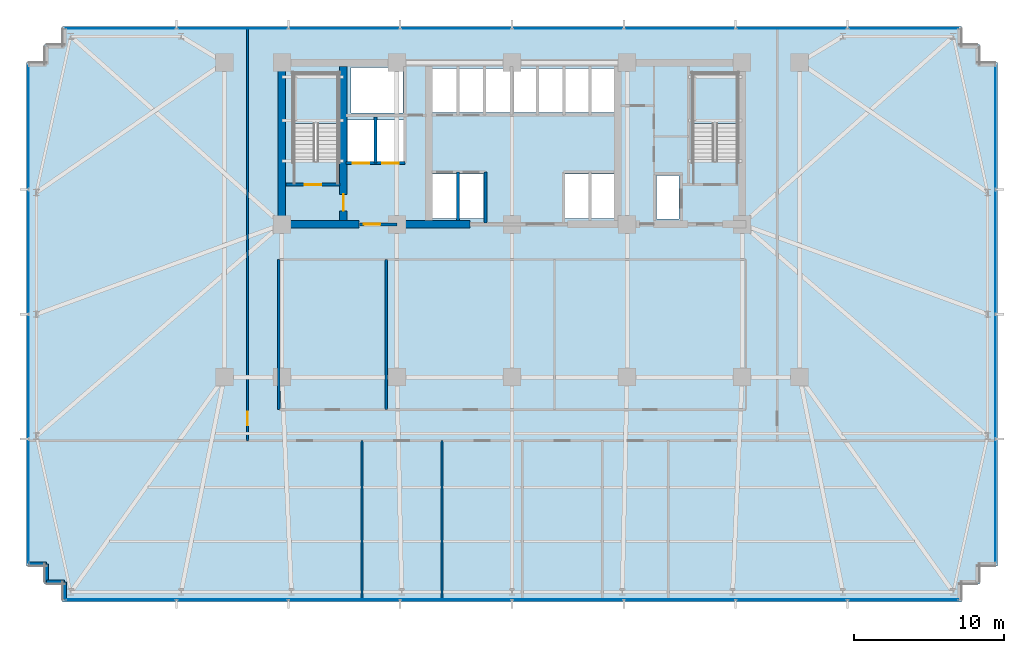
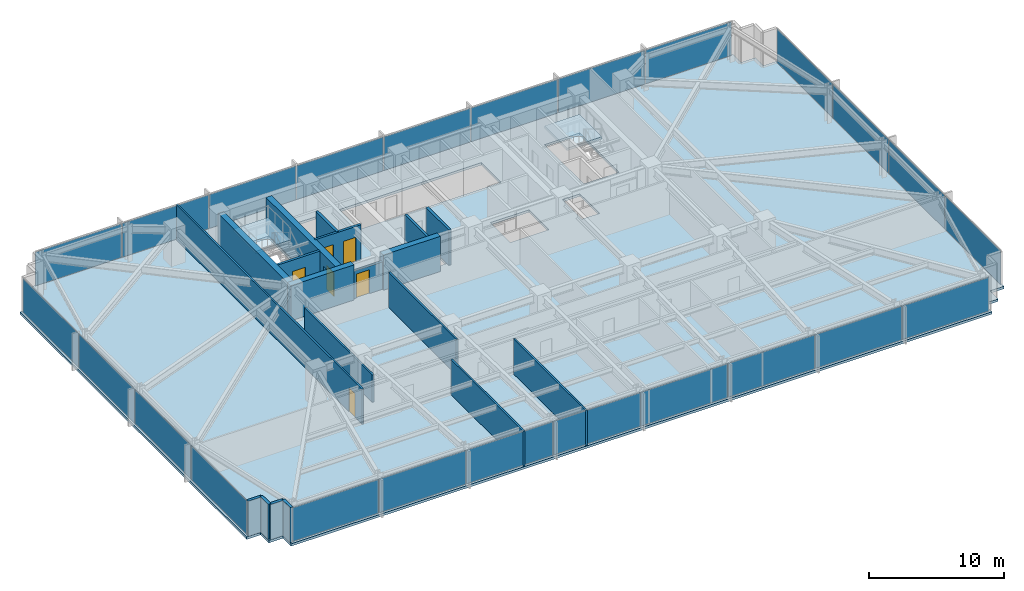
# One storey, part 24 of 32: 24 plates, 19 walls, 6 doors, 3 slabs, 6 openings, 6 elements without a shape of their own.
"""IFC4 building model written with IfcOpenShell, lengths in metres."""

from ifc_helpers import new_model, si_unit, direction, frame, frame_2d, origin, origin_2d, place, context, subcontext, project, spatial, polyline, rectangle, outline, extrude, material, layer, layer_set, type_object, element, fill, aggregate, save


model = new_model("IFC4")

# Units and contexts
model_context = context("Model", 3, precision=1e-05, world=origin(), true_north=direction((0.0, 1.0)))
body_context = subcontext(model_context, "Body", "Model", "MODEL_VIEW")
ifc_project = project(units=[si_unit("LENGTHUNIT", "METRE"), si_unit("AREAUNIT", "SQUARE_METRE"), si_unit("VOLUMEUNIT", "CUBIC_METRE"), si_unit("PLANEANGLEUNIT", "RADIAN"), si_unit("MASSUNIT", "GRAM", prefix="KILO")], contexts=[model_context])

# Site, building, storey
site_placement = place(None, origin())
site = spatial("IfcSite", under=ifc_project, at=site_placement, CompositionType="ELEMENT")
building_placement = place(site_placement, origin())
building = spatial("IfcBuilding", under=site, at=building_placement, Name="Yelkora Congress Tower", CompositionType="ELEMENT")
storey_placement = place(building_placement, frame((0.0, 0.0, 44.0)))
storey = spatial("IfcBuildingStorey", under=building, at=storey_placement, Name="L10", CompositionType="ELEMENT", Elevation=44.0)

# Curtain wall, plates
ifc_material_1 = material(Name="Anodised aluminium and insulated glass", Category="aluminium")
curtain_wall_type = type_object("IfcCurtainWallType", Name="CW-SYS-B1", PredefinedType="NOTDEFINED", material=ifc_material_1)
curtain_wall_1_placement = place(storey_placement, origin())
curtain_wall_1 = element("IfcCurtainWall", 1, at=curtain_wall_1_placement, inside=storey, type_object=curtain_wall_type, Name="L10 Unitised Curtain Wall 5", PredefinedType="NOTDEFINED")
ifc_material_2 = material(Name="Solar-control low-E glass unit B1", Category="glass")
ifc_layer_1 = layer(ifc_material_2, 0.0400390625)
ifc_layer_set_1 = layer_set([ifc_layer_1], Name="Solar-control low-E glass unit B1")
plate_type = type_object("IfcPlateType", Name="PLT-PN-B1", PredefinedType="CURTAIN_PANEL", material=ifc_layer_set_1)
plate_1_placement = place(storey_placement, frame((6.139892578125, 16.923828125, 0.06494140625), z_axis=(0.0, 0.0, 1.0), x_axis=(0.0, 1.0, 0.0)))
plate_1 = element("IfcPlate", 2, at=plate_1_placement, type_object=plate_type, Name="CW-B1 panel 1.1", PredefinedType="CURTAIN_PANEL", context=body_context, shape_type="SweptSolid", body=[
    extrude(rectangle(XDim=8.217529296875, YDim=0.0400390625, at=origin_2d()), origin(), (0.0, 0.0, 1.0), 3.050048828125),
])
plate_2_placement = place(storey_placement, frame((6.139892578125, 25.235107421875, 0.06494140625), z_axis=(0.0, 0.0, 1.0), x_axis=(0.0, 1.0, 0.0)))
plate_2 = element("IfcPlate", 3, at=plate_2_placement, type_object=plate_type, Name="CW-B1 panel 2.1", PredefinedType="CURTAIN_PANEL", context=body_context, shape_type="SweptSolid", body=[
    extrude(rectangle(XDim=8.2548828125, YDim=0.0400390625, at=origin_2d()), origin(), (0.0, 0.0, 1.0), 3.050048828125),
])
plate_3_placement = place(storey_placement, frame((6.139892578125, 33.56494140625, 0.06494140625), z_axis=(0.0, 0.0, 1.0), x_axis=(0.0, 1.0, 0.0)))
plate_3 = element("IfcPlate", 4, at=plate_3_placement, type_object=plate_type, Name="CW-B1 panel 3.1", PredefinedType="CURTAIN_PANEL", context=body_context, shape_type="SweptSolid", body=[
    extrude(rectangle(XDim=8.2548828125, YDim=0.0400390625, at=origin_2d()), origin(), (0.0, 0.0, 1.0), 3.050048828125),
])
plate_4_placement = place(storey_placement, frame((6.139892578125, 41.876220703125, 0.06494140625), z_axis=(0.0, 0.0, 1.0), x_axis=(0.0, 1.0, 0.0)))
plate_4 = element("IfcPlate", 5, at=plate_4_placement, type_object=plate_type, Name="CW-B1 panel 4.1", PredefinedType="CURTAIN_PANEL", context=body_context, shape_type="SweptSolid", body=[
    extrude(rectangle(XDim=8.217529296875, YDim=0.0400390625, at=origin_2d()), origin(), (0.0, 0.0, 1.0), 3.050048828125),
])
aggregate(curtain_wall_1, [plate_1, plate_2, plate_3, plate_4])

curtain_wall_2_placement = place(storey_placement, origin())
curtain_wall_2 = element("IfcCurtainWall", 6, at=curtain_wall_2_placement, inside=storey, type_object=curtain_wall_type, Name="L10 Unitised Curtain Wall 10", PredefinedType="NOTDEFINED")
plate_5_placement = place(storey_placement, frame((12.291259765625, 48.4599609375, 0.06494140625), z_axis=(0.0, 0.0, 1.0), x_axis=(1.0, 0.0, 0.0)))
plate_5 = element("IfcPlate", 7, at=plate_5_placement, type_object=plate_type, Name="CW-B1 panel 1.1", PredefinedType="CURTAIN_PANEL", context=body_context, shape_type="SweptSolid", body=[
    extrude(rectangle(XDim=7.3525390625, YDim=0.0400390625, at=origin_2d()), origin(), (0.0, 0.0, 1.0), 3.050048828125),
])
plate_6_placement = place(storey_placement, frame((19.737548828125, 48.4599609375, 0.06494140625), z_axis=(0.0, 0.0, 1.0), x_axis=(1.0, 0.0, 0.0)))
plate_6 = element("IfcPlate", 8, at=plate_6_placement, type_object=plate_type, Name="CW-B1 panel 2.1", PredefinedType="CURTAIN_PANEL", context=body_context, shape_type="SweptSolid", body=[
    extrude(rectangle(XDim=7.389892578125, YDim=0.0400390625, at=origin_2d()), origin(), (0.0, 0.0, 1.0), 3.050048828125),
])
plate_7_placement = place(storey_placement, frame((27.202392578125, 48.4599609375, 0.06494140625), z_axis=(0.0, 0.0, 1.0), x_axis=(1.0, 0.0, 0.0)))
plate_7 = element("IfcPlate", 9, at=plate_7_placement, type_object=plate_type, Name="CW-B1 panel 3.1", PredefinedType="CURTAIN_PANEL", context=body_context, shape_type="SweptSolid", body=[
    extrude(rectangle(XDim=7.389892578125, YDim=0.0400390625, at=origin_2d()), origin(), (0.0, 0.0, 1.0), 3.050048828125),
])
plate_8_placement = place(storey_placement, frame((34.66748046875, 48.4599609375, 0.06494140625), z_axis=(0.0, 0.0, 1.0), x_axis=(1.0, 0.0, 0.0)))
plate_8 = element("IfcPlate", 10, at=plate_8_placement, type_object=plate_type, Name="CW-B1 panel 4.1", PredefinedType="CURTAIN_PANEL", context=body_context, shape_type="SweptSolid", body=[
    extrude(rectangle(XDim=7.389892578125, YDim=0.0400390625, at=origin_2d()), origin(), (0.0, 0.0, 1.0), 3.050048828125),
])
plate_9_placement = place(storey_placement, frame((42.132568359375, 48.4599609375, 0.06494140625), z_axis=(0.0, 0.0, 1.0), x_axis=(1.0, 0.0, 0.0)))
plate_9 = element("IfcPlate", 11, at=plate_9_placement, type_object=plate_type, Name="CW-B1 panel 5.1", PredefinedType="CURTAIN_PANEL", context=body_context, shape_type="SweptSolid", body=[
    extrude(rectangle(XDim=7.389892578125, YDim=0.0400390625, at=origin_2d()), origin(), (0.0, 0.0, 1.0), 3.050048828125),
])
plate_10_placement = place(storey_placement, frame((49.597412109375, 48.4599609375, 0.06494140625), z_axis=(0.0, 0.0, 1.0), x_axis=(1.0, 0.0, 0.0)))
plate_10 = element("IfcPlate", 12, at=plate_10_placement, type_object=plate_type, Name="CW-B1 panel 6.1", PredefinedType="CURTAIN_PANEL", context=body_context, shape_type="SweptSolid", body=[
    extrude(rectangle(XDim=7.389892578125, YDim=0.0400390625, at=origin_2d()), origin(), (0.0, 0.0, 1.0), 3.050048828125),
])
plate_11_placement = place(storey_placement, frame((57.0625, 48.4599609375, 0.06494140625), z_axis=(0.0, 0.0, 1.0), x_axis=(1.0, 0.0, 0.0)))
plate_11 = element("IfcPlate", 13, at=plate_11_placement, type_object=plate_type, Name="CW-B1 panel 7.1", PredefinedType="CURTAIN_PANEL", context=body_context, shape_type="SweptSolid", body=[
    extrude(rectangle(XDim=7.389892578125, YDim=0.0400390625, at=origin_2d()), origin(), (0.0, 0.0, 1.0), 3.050048828125),
])
plate_12_placement = place(storey_placement, frame((64.5087890625, 48.4599609375, 0.06494140625), z_axis=(0.0, 0.0, 1.0), x_axis=(1.0, 0.0, 0.0)))
plate_12 = element("IfcPlate", 14, at=plate_12_placement, type_object=plate_type, Name="CW-B1 panel 8.1", PredefinedType="CURTAIN_PANEL", context=body_context, shape_type="SweptSolid", body=[
    extrude(rectangle(XDim=7.3525390625, YDim=0.0400390625, at=origin_2d()), origin(), (0.0, 0.0, 1.0), 3.050048828125),
])
aggregate(curtain_wall_2, [plate_5, plate_6, plate_7, plate_8, plate_9, plate_10, plate_11, plate_12])

curtain_wall_3_placement = place(storey_placement, origin())
curtain_wall_3 = element("IfcCurtainWall", 15, at=curtain_wall_3_placement, inside=storey, type_object=curtain_wall_type, Name="L10 Unitised Curtain Wall 15", PredefinedType="NOTDEFINED")
plate_13_placement = place(storey_placement, frame((70.659912109375, 41.876220703125, 0.06494140625), z_axis=(0.0, 0.0, 1.0), x_axis=(0.0, -1.0, 0.0)))
plate_13 = element("IfcPlate", 16, at=plate_13_placement, type_object=plate_type, Name="CW-B1 panel 1.1", PredefinedType="CURTAIN_PANEL", context=body_context, shape_type="SweptSolid", body=[
    extrude(rectangle(XDim=8.217529296875, YDim=0.0400390625, at=origin_2d()), origin(), (0.0, 0.0, 1.0), 3.050048828125),
])
plate_14_placement = place(storey_placement, frame((70.659912109375, 33.56494140625, 0.06494140625), z_axis=(0.0, 0.0, 1.0), x_axis=(0.0, -1.0, 0.0)))
plate_14 = element("IfcPlate", 17, at=plate_14_placement, type_object=plate_type, Name="CW-B1 panel 2.1", PredefinedType="CURTAIN_PANEL", context=body_context, shape_type="SweptSolid", body=[
    extrude(rectangle(XDim=8.2548828125, YDim=0.0400390625, at=origin_2d()), origin(), (0.0, 0.0, 1.0), 3.050048828125),
])
plate_15_placement = place(storey_placement, frame((70.659912109375, 25.235107421875, 0.06494140625), z_axis=(0.0, 0.0, 1.0), x_axis=(0.0, -1.0, 0.0)))
plate_15 = element("IfcPlate", 18, at=plate_15_placement, type_object=plate_type, Name="CW-B1 panel 3.1", PredefinedType="CURTAIN_PANEL", context=body_context, shape_type="SweptSolid", body=[
    extrude(rectangle(XDim=8.2548828125, YDim=0.0400390625, at=origin_2d()), origin(), (0.0, 0.0, 1.0), 3.050048828125),
])
plate_16_placement = place(storey_placement, frame((70.659912109375, 16.923828125, 0.06494140625), z_axis=(0.0, 0.0, 1.0), x_axis=(0.0, -1.0, 0.0)))
plate_16 = element("IfcPlate", 19, at=plate_16_placement, type_object=plate_type, Name="CW-B1 panel 4.1", PredefinedType="CURTAIN_PANEL", context=body_context, shape_type="SweptSolid", body=[
    extrude(rectangle(XDim=8.217529296875, YDim=0.0400390625, at=origin_2d()), origin(), (0.0, 0.0, 1.0), 3.050048828125),
])
aggregate(curtain_wall_3, [plate_13, plate_14, plate_15, plate_16])

curtain_wall_4_placement = place(storey_placement, origin())
curtain_wall_4 = element("IfcCurtainWall", 20, at=curtain_wall_4_placement, inside=storey, type_object=curtain_wall_type, Name="L10 Unitised Curtain Wall 20", PredefinedType="NOTDEFINED")
plate_17_placement = place(storey_placement, frame((64.5087890625, 10.340087890625, 0.06494140625), z_axis=(0.0, 0.0, 1.0), x_axis=(-1.0, 0.0, 0.0)))
plate_17 = element("IfcPlate", 21, at=plate_17_placement, type_object=plate_type, Name="CW-B1 panel 1.1", PredefinedType="CURTAIN_PANEL", context=body_context, shape_type="SweptSolid", body=[
    extrude(rectangle(XDim=7.3525390625, YDim=0.0400390625, at=origin_2d()), origin(), (0.0, 0.0, 1.0), 3.050048828125),
])
plate_18_placement = place(storey_placement, frame((57.0625, 10.340087890625, 0.06494140625), z_axis=(0.0, 0.0, 1.0), x_axis=(-1.0, 0.0, 0.0)))
plate_18 = element("IfcPlate", 22, at=plate_18_placement, type_object=plate_type, Name="CW-B1 panel 2.1", PredefinedType="CURTAIN_PANEL", context=body_context, shape_type="SweptSolid", body=[
    extrude(rectangle(XDim=7.389892578125, YDim=0.0400390625, at=origin_2d()), origin(), (0.0, 0.0, 1.0), 3.050048828125),
])
plate_19_placement = place(storey_placement, frame((49.597412109375, 10.340087890625, 0.06494140625), z_axis=(0.0, 0.0, 1.0), x_axis=(-1.0, 0.0, 0.0)))
plate_19 = element("IfcPlate", 23, at=plate_19_placement, type_object=plate_type, Name="CW-B1 panel 3.1", PredefinedType="CURTAIN_PANEL", context=body_context, shape_type="SweptSolid", body=[
    extrude(rectangle(XDim=7.389892578125, YDim=0.0400390625, at=origin_2d()), origin(), (0.0, 0.0, 1.0), 3.050048828125),
])
plate_20_placement = place(storey_placement, frame((42.132568359375, 10.340087890625, 0.06494140625), z_axis=(0.0, 0.0, 1.0), x_axis=(-1.0, 0.0, 0.0)))
plate_20 = element("IfcPlate", 24, at=plate_20_placement, type_object=plate_type, Name="CW-B1 panel 4.1", PredefinedType="CURTAIN_PANEL", context=body_context, shape_type="SweptSolid", body=[
    extrude(rectangle(XDim=7.389892578125, YDim=0.0400390625, at=origin_2d()), origin(), (0.0, 0.0, 1.0), 3.050048828125),
])
plate_21_placement = place(storey_placement, frame((34.66748046875, 10.340087890625, 0.06494140625), z_axis=(0.0, 0.0, 1.0), x_axis=(-1.0, 0.0, 0.0)))
plate_21 = element("IfcPlate", 25, at=plate_21_placement, type_object=plate_type, Name="CW-B1 panel 5.1", PredefinedType="CURTAIN_PANEL", context=body_context, shape_type="SweptSolid", body=[
    extrude(rectangle(XDim=7.389892578125, YDim=0.0400390625, at=origin_2d()), origin(), (0.0, 0.0, 1.0), 3.050048828125),
])
plate_22_placement = place(storey_placement, frame((27.202392578125, 10.340087890625, 0.06494140625), z_axis=(0.0, 0.0, 1.0), x_axis=(-1.0, 0.0, 0.0)))
plate_22 = element("IfcPlate", 26, at=plate_22_placement, type_object=plate_type, Name="CW-B1 panel 6.1", PredefinedType="CURTAIN_PANEL", context=body_context, shape_type="SweptSolid", body=[
    extrude(rectangle(XDim=7.389892578125, YDim=0.0400390625, at=origin_2d()), origin(), (0.0, 0.0, 1.0), 3.050048828125),
])
plate_23_placement = place(storey_placement, frame((19.737548828125, 10.340087890625, 0.06494140625), z_axis=(0.0, 0.0, 1.0), x_axis=(-1.0, 0.0, 0.0)))
plate_23 = element("IfcPlate", 27, at=plate_23_placement, type_object=plate_type, Name="CW-B1 panel 7.1", PredefinedType="CURTAIN_PANEL", context=body_context, shape_type="SweptSolid", body=[
    extrude(rectangle(XDim=7.389892578125, YDim=0.0400390625, at=origin_2d()), origin(), (0.0, 0.0, 1.0), 3.050048828125),
])
plate_24_placement = place(storey_placement, frame((12.291259765625, 10.340087890625, 0.06494140625), z_axis=(0.0, 0.0, 1.0), x_axis=(-1.0, 0.0, 0.0)))
plate_24 = element("IfcPlate", 28, at=plate_24_placement, type_object=plate_type, Name="CW-B1 panel 8.1", PredefinedType="CURTAIN_PANEL", context=body_context, shape_type="SweptSolid", body=[
    extrude(rectangle(XDim=7.3525390625, YDim=0.0400390625, at=origin_2d()), origin(), (0.0, 0.0, 1.0), 3.050048828125),
])
aggregate(curtain_wall_4, [plate_17, plate_18, plate_19, plate_20, plate_21, plate_22, plate_23, plate_24])

# Stair, slab
ifc_material_3 = material(Name="Concrete C40/50", Category="concrete")
stair_type = type_object("IfcStairType", Name="STAIR-HT-1420-R20-170", PredefinedType="HALF_TURN_STAIR", material=ifc_material_3)
stair_1_placement = place(storey_placement, origin())
stair_1 = element("IfcStair", 29, at=stair_1_placement, inside=storey, type_object=stair_type, Name="West Core Protected Exit Stair ST-01 (L10)", PredefinedType="HALF_TURN_STAIR")
ifc_layer_2 = layer(ifc_material_3, 0.219970703125)
ifc_layer_set_2 = layer_set([ifc_layer_2], Name="Concrete C40/50")
slab_type_1 = type_object("IfcSlabType", Name="SLAB-LANDING-220", PredefinedType="LANDING", material=ifc_layer_set_2)
slab_1_placement = place(storey_placement, frame((0.0, 0.0, 1.47998046875)))
slab_1 = element("IfcSlab", 30, at=slab_1_placement, type_object=slab_type_1, Name="ST-01 L10 Half Landing 1", PredefinedType="LANDING", context=body_context, shape_type="SweptSolid", body=[
    extrude(outline(polyline([(26.820068359375, 42.1201171875), (26.820068359375, 45.469970703125), (23.820068359375, 45.469970703125), (23.820068359375, 42.1201171875), (26.820068359375, 42.1201171875)])), origin(), (0.0, 0.0, 1.0), 0.219970703125),
])
aggregate(stair_1, [slab_1])

stair_2_placement = place(storey_placement, origin())
stair_2 = element("IfcStair", 31, at=stair_2_placement, inside=storey, type_object=stair_type, Name="East Core Protected Exit Stair ST-02 (L10)", PredefinedType="HALF_TURN_STAIR")
slab_2_placement = place(storey_placement, frame((0.0, 0.0, 1.47998046875)))
slab_2 = element("IfcSlab", 32, at=slab_2_placement, type_object=slab_type_1, Name="ST-02 L10 Half Landing 1", PredefinedType="LANDING", context=body_context, shape_type="SweptSolid", body=[
    extrude(outline(polyline([(53.4599609375, 42.1201171875), (53.4599609375, 45.469970703125), (50.4599609375, 45.469970703125), (50.4599609375, 42.1201171875), (53.4599609375, 42.1201171875)])), origin(), (0.0, 0.0, 1.0), 0.219970703125),
])
aggregate(stair_2, [slab_2])

# Slab
ifc_layer_3 = layer(ifc_material_3, 0.219970703125)
ifc_layer_set_3 = layer_set([ifc_layer_3], Name="Concrete C40/50")
slab_type_2 = type_object("IfcSlabType", Name="SLAB-TWR-220", PredefinedType="FLOOR", material=ifc_layer_set_3)
slab_3_placement = place(storey_placement, frame((0.0, 0.0, -0.219970703125)))
element("IfcSlab", 33, at=slab_3_placement, inside=storey, type_object=slab_type_2, Name="L10 Structural Floor Slab", PredefinedType="FLOOR", context=body_context, shape_type="SweptSolid", body=[
    extrude(outline(polyline([(8.39990234375, 10.199951171875), (68.39990234375, 10.199951171875), (68.39990234375, 11.39990234375), (69.60009765625, 11.39990234375), (69.60009765625, 12.60009765625), (70.800048828125, 12.60009765625), (70.800048828125, 46.199951171875), (69.60009765625, 46.199951171875), (69.60009765625, 47.39990234375), (68.39990234375, 47.39990234375), (68.39990234375, 48.60009765625), (8.39990234375, 48.60009765625), (8.39990234375, 47.39990234375), (7.199951171875, 47.39990234375), (7.199951171875, 46.199951171875), (6.0, 46.199951171875), (6.0, 12.60009765625), (7.199951171875, 12.60009765625), (7.199951171875, 11.39990234375), (8.39990234375, 11.39990234375), (8.39990234375, 10.199951171875)]), holes=[polyline([(23.820068359375, 39.6298828125), (26.820068359375, 39.6298828125), (26.820068359375, 45.469970703125), (23.820068359375, 45.469970703125), (23.820068359375, 39.6298828125)]), polyline([(50.4599609375, 39.6298828125), (53.4599609375, 39.6298828125), (53.4599609375, 45.469970703125), (50.4599609375, 45.469970703125), (50.4599609375, 39.6298828125)]), polyline([(48.050048828125, 35.75), (49.550048828125, 35.75), (49.550048828125, 38.64990234375), (48.050048828125, 38.64990234375), (48.050048828125, 35.75)]), polyline([(41.949951171875, 35.800048828125), (45.25, 35.800048828125), (45.25, 38.75), (41.949951171875, 38.75), (41.949951171875, 35.800048828125)]), polyline([(33.10009765625, 42.85009765625), (45.25, 42.85009765625), (45.25, 45.800048828125), (33.10009765625, 45.800048828125), (33.10009765625, 42.85009765625)]), polyline([(33.10009765625, 35.800048828125), (36.5, 35.800048828125), (36.5, 38.75), (33.10009765625, 38.75), (33.10009765625, 35.800048828125)]), polyline([(27.419921875, 39.60009765625), (31.179931640625, 39.60009765625), (31.179931640625, 42.35009765625), (27.419921875, 42.35009765625), (27.419921875, 39.60009765625)]), polyline([(27.64990234375, 42.820068359375), (31.1201171875, 42.820068359375), (31.1201171875, 45.8798828125), (27.64990234375, 45.8798828125), (27.64990234375, 42.820068359375)])]), origin(), (0.0, 0.0, 1.0), 0.219970703125),
])

# Walls
ifc_material_4 = material(Name="Concrete C60/75", Category="concrete")
ifc_layer_4 = layer(ifc_material_4, 0.5)
ifc_layer_set_4 = layer_set([ifc_layer_4], Name="Concrete C60/75")
wall_type_1 = type_object("IfcWallType", Name="WALL-CORE-INT-500", PredefinedType="SHEAR", material=ifc_layer_set_4)
wall_1_placement = place(storey_placement, frame((22.7900390625, 35.39990234375, 0.0), z_axis=(0.0, 0.0, 1.0), x_axis=(1.0, 0.0, 0.0)))
element("IfcWall", 34, at=wall_1_placement, inside=storey, type_object=wall_type_1, Name="L10 Rear Core South-West Shear Wall", PredefinedType="SHEAR", context=body_context, shape_type="SweptSolid", body=[
    extrude(rectangle(XDim=5.409912109375, YDim=0.5, at=frame_2d((2.705078125, 0.0))), origin(), (0.0, 0.0, 1.0), 3.179931640625),
])
wall_2_placement = place(storey_placement, frame((30.719970703125, 35.39990234375, 0.0), z_axis=(0.0, 0.0, 1.0), x_axis=(1.0, 0.0, 0.0)))
element("IfcWall", 35, at=wall_2_placement, inside=storey, type_object=wall_type_1, Name="L10 Rear Core South-Center Shear Pier", PredefinedType="SHEAR", context=body_context, shape_type="SweptSolid", body=[
    extrude(rectangle(XDim=4.880126953125, YDim=0.5, at=frame_2d((2.43994140625, 0.0))), origin(), (0.0, 0.0, 1.0), 3.179931640625),
])
wall_3_placement = place(storey_placement, frame((23.0400390625, 35.64990234375, 0.0), z_axis=(0.0, 0.0, 1.0), x_axis=(0.0, 1.0, 0.0)))
element("IfcWall", 36, at=wall_3_placement, inside=storey, type_object=wall_type_1, Name="L10 Rear Core Cross Shear Wall W", PredefinedType="SHEAR", context=body_context, shape_type="SweptSolid", body=[
    extrude(rectangle(XDim=10.300048828125, YDim=0.5, at=frame_2d((5.14990234375, 0.0))), origin(), (0.0, 0.0, 1.0), 3.179931640625),
])

# Wall, opening, door
wall_4_placement = place(storey_placement, frame((27.14990234375, 35.64990234375, 0.0), z_axis=(0.0, 0.0, 1.0), x_axis=(0.0, 1.0, 0.0)))
wall_4 = element("IfcWall", 37, at=wall_4_placement, inside=storey, type_object=wall_type_1, Name="L10 Rear Core Cross Shear Wall C1", PredefinedType="SHEAR", context=body_context, shape_type="SweptSolid", body=[
    extrude(rectangle(XDim=10.300048828125, YDim=0.5, at=frame_2d((5.14990234375, 0.0))), origin(), (0.0, 0.0, 1.0), 3.179931640625),
])
opening_1_placement = place(wall_4_placement, frame((0.64990234375, 0.0, 0.0)))
opening_1 = element("IfcOpeningElement", 38, at=opening_1_placement, cuts=wall_4, Name="Opening DR-110F9", PredefinedType="OPENING", context=body_context, shape_type="SweptSolid", body=[
    extrude(rectangle(XDim=1.10009765625, YDim=2.14990234375, at=frame_2d((0.550048828125, 1.074951171875))), frame((0.0, 0.260009765625, 0.0), z_axis=(0.0, -1.0, 0.0), x_axis=(1.0, 0.0, 0.0)), (0.0, 0.0, 1.0), 0.52001953125),
])
ifc_material_5 = material(Name="Galvanised steel fire door leaf", Category="steel")
door_type_1 = type_object("IfcDoorType", Name="DOOR-FD90-1100", OperationType="NOTDEFINED", PredefinedType="DOOR", material=ifc_material_5)
door_1_placement = place(opening_1_placement, origin())
door_1 = element("IfcDoor", 39, at=door_1_placement, inside=storey, type_object=door_type_1, Name="L10 Firefighting Stair Transfer Door", OperationType="SINGLE_SWING_LEFT", OverallHeight=2.14990234375, OverallWidth=1.10009765625, PredefinedType="DOOR", context=body_context, shape_type="SweptSolid", body=[
    extrude(rectangle(XDim=1.10009765625, YDim=2.14990234375, at=frame_2d((0.550048828125, 1.074951171875))), frame((0.0, 0.02490234375, 0.0), z_axis=(0.0, -1.0, 0.0), x_axis=(1.0, 0.0, 0.0)), (0.0, 0.0, 1.0), 0.050048828125),
])
fill(opening_1, door_1)

# Walls
ifc_layer_5 = layer(ifc_material_3, 0.239990234375)
ifc_layer_set_5 = layer_set([ifc_layer_5], Name="Concrete C40/50")
wall_type_2 = type_object("IfcWallType", Name="WALL-EXT-LIMESTONE-240", PredefinedType="SOLIDWALL", material=ifc_layer_set_5)
for number, where, z_axis, x_axis, name in (
    (40, (8.5400390625, 10.340087890625, 0.0), (0.0, 0.0, 1.0), (0.0, 1.0, 0.0), "L10 Serrated Corner Limestone Pier 1"),
    (41, (8.5400390625, 11.5400390625, 0.0), (0.0, 0.0, 1.0), (-1.0, 0.0, 0.0), "L10 Serrated Corner Limestone Pier 2"),
    (42, (7.340087890625, 11.5400390625, 0.0), (0.0, 0.0, 1.0), (0.0, 1.0, 0.0), "L10 Serrated Corner Limestone Pier 3"),
):
    element("IfcWall", number, at=place(storey_placement, frame(where, z_axis=z_axis, x_axis=x_axis)), inside=storey, type_object=wall_type_2, Name=name, PredefinedType="SOLIDWALL", context=body_context, shape_type="SweptSolid", body=[
        extrude(rectangle(XDim=1.199951171875, YDim=0.239990234375, at=frame_2d((0.60009765625, 0.0))), origin(), (0.0, 0.0, 1.0), 3.179931640625),
    ])
wall_5_placement = place(storey_placement, frame((7.340087890625, 12.739990234375, 0.0), z_axis=(0.0, 0.0, 1.0), x_axis=(-1.0, 0.0, 0.0)))
element("IfcWall", 43, at=wall_5_placement, inside=storey, type_object=wall_type_2, Name="L10 Serrated Corner Limestone Pier 4", PredefinedType="SOLIDWALL", context=body_context, shape_type="SweptSolid", body=[
    extrude(rectangle(XDim=1.2001953125, YDim=0.239990234375, at=frame_2d((0.60009765625, 0.0))), origin(), (0.0, 0.0, 1.0), 3.179931640625),
])
ifc_material_6 = material(Name="Acoustic metal-stud gypsum partition", Category="gypsum")
ifc_layer_6 = layer(ifc_material_6, 0.14990234375)
ifc_layer_set_6 = layer_set([ifc_layer_6], Name="Acoustic metal-stud gypsum partition")
wall_type_3 = type_object("IfcWallType", Name="WALL-INT-150-NR", PredefinedType="PARTITIONING", material=ifc_layer_set_6)
for number, where, z_axis, x_axis, name in (
    (44, (28.383056640625, 10.280029296875, 0.0), (0.0, 0.0, 1.0), (0.0, 1.0, 0.0), "L10 Partition Wall 31"),
    (45, (33.72998046875, 10.280029296875, 0.0), (0.0, 0.0, 1.0), (0.0, 1.0, 0.0), "L10 Partition Wall 32"),
):
    element("IfcWall", number, at=place(storey_placement, frame(where, z_axis=z_axis, x_axis=x_axis)), inside=storey, type_object=wall_type_3, Name=name, PredefinedType="PARTITIONING", context=body_context, shape_type="SweptSolid", body=[
        extrude(rectangle(XDim=10.68994140625, YDim=0.14990234375, at=frame_2d((5.344970703125, 0.0))), origin(), (0.0, 0.0, 1.0), 3.179931640625),
    ])

# Wall, opening, door
wall_6_placement = place(storey_placement, frame((20.75, 20.949951171875, 0.0), z_axis=(0.0, 0.0, 1.0), x_axis=(0.0, 1.0, 0.0)))
wall_6 = element("IfcWall", 46, at=wall_6_placement, inside=storey, type_object=wall_type_3, Name="L10 Partition Wall 37", PredefinedType="PARTITIONING", context=body_context, shape_type="SweptSolid", body=[
    extrude(rectangle(XDim=27.570068359375, YDim=0.14990234375, at=frame_2d((13.78515625, 0.0))), origin(), (0.0, 0.0, 1.0), 3.179931640625),
])
opening_2_placement = place(wall_6_placement, frame((1.030029296875, 0.0, 0.0)))
opening_2 = element("IfcOpeningElement", 47, at=opening_2_placement, cuts=wall_6, Name="Opening DR-090N", PredefinedType="OPENING", context=body_context, shape_type="SweptSolid", body=[
    extrude(rectangle(XDim=0.89990234375, YDim=2.14990234375, at=frame_2d((0.449951171875, 1.074951171875))), frame((0.0, 0.0849609375, 0.0), z_axis=(0.0, -1.0, 0.0), x_axis=(1.0, 0.0, 0.0)), (0.0, 0.0, 1.0), 0.169921875),
])
ifc_material_7 = material(Name="Moisture-resistant laminate door leaf", Category="wood")
door_type_2 = type_object("IfcDoorType", Name="DOOR-INT-900", OperationType="NOTDEFINED", PredefinedType="DOOR", material=ifc_material_7)
door_2_placement = place(opening_2_placement, origin())
door_2 = element("IfcDoor", 48, at=door_2_placement, inside=storey, type_object=door_type_2, Name="L10 W Wing Door", OperationType="SINGLE_SWING_LEFT", OverallHeight=2.14990234375, OverallWidth=0.89990234375, PredefinedType="DOOR", context=body_context, shape_type="SweptSolid", body=[
    extrude(rectangle(XDim=0.89990234375, YDim=2.14990234375, at=frame_2d((0.449951171875, 1.074951171875))), frame((0.0, 0.02490234375, 0.0), z_axis=(0.0, -1.0, 0.0), x_axis=(1.0, 0.0, 0.0)), (0.0, 0.0, 1.0), 0.050048828125),
])
fill(opening_2, door_2)

# Walls
wall_7_placement = place(storey_placement, frame((22.830078125, 23.030029296875, 0.0), z_axis=(0.0, 0.0, 1.0), x_axis=(0.0, 1.0, 0.0)))
element("IfcWall", 49, at=wall_7_placement, inside=storey, type_object=wall_type_3, Name="L10 Partition Wall 39", PredefinedType="PARTITIONING", context=body_context, shape_type="SweptSolid", body=[
    extrude(rectangle(XDim=10.02001953125, YDim=0.14990234375, at=frame_2d((5.010009765625, 0.0))), origin(), (0.0, 0.0, 1.0), 2.47509765625),
])
wall_8_placement = place(storey_placement, frame((30.009033203125, 23.030029296875, 0.0), z_axis=(0.0, 0.0, 1.0), x_axis=(0.0, 1.0, 0.0)))
element("IfcWall", 50, at=wall_8_placement, inside=storey, type_object=wall_type_3, Name="L10 Partition Wall 42", PredefinedType="PARTITIONING", context=body_context, shape_type="SweptSolid", body=[
    extrude(rectangle(XDim=10.02001953125, YDim=0.14990234375, at=frame_2d((5.010009765625, 0.0))), origin(), (0.0, 0.0, 1.0), 3.179931640625),
])

# Wall, opening, door
ifc_material_8 = material(Name="Autoclaved aerated concrete blockwork", Category="masonry")
ifc_layer_7 = layer(ifc_material_8, 0.199951171875)
ifc_layer_set_7 = layer_set([ifc_layer_7], Name="Autoclaved aerated concrete blockwork")
wall_type_4 = type_object("IfcWallType", Name="WALL-INT-200-R120", PredefinedType="PARTITIONING", material=ifc_layer_set_7)
wall_9_placement = place(storey_placement, frame((23.300048828125, 38.050048828125, 0.0), z_axis=(0.0, 0.0, 1.0), x_axis=(1.0, 0.0, 0.0)))
wall_9 = element("IfcWall", 51, at=wall_9_placement, inside=storey, type_object=wall_type_4, Name="L10 Stair ST-01 Enclosure Wall", PredefinedType="PARTITIONING", context=body_context, shape_type="SweptSolid", body=[
    extrude(rectangle(XDim=3.619873046875, YDim=0.199951171875, at=frame_2d((1.81005859375, 0.0))), origin(), (0.0, 0.0, 1.0), 3.179931640625),
])
opening_3_placement = place(wall_9_placement, frame((1.260009765625, 0.0, 0.0)))
opening_3 = element("IfcOpeningElement", 52, at=opening_3_placement, cuts=wall_9, Name="Opening DR-110F9", PredefinedType="OPENING", context=body_context, shape_type="SweptSolid", body=[
    extrude(rectangle(XDim=1.10009765625, YDim=2.14990234375, at=frame_2d((0.550048828125, 1.074951171875))), frame((0.0, 0.10986328125, 0.0), z_axis=(0.0, -1.0, 0.0), x_axis=(1.0, 0.0, 0.0)), (0.0, 0.0, 1.0), 0.219970703125),
])
door_3_placement = place(opening_3_placement, origin())
door_3 = element("IfcDoor", 53, at=door_3_placement, inside=storey, type_object=door_type_1, Name="L10 Stair ST-01 Entry Door", OperationType="SINGLE_SWING_LEFT", OverallHeight=2.14990234375, OverallWidth=1.10009765625, PredefinedType="DOOR", context=body_context, shape_type="SweptSolid", body=[
    extrude(rectangle(XDim=1.10009765625, YDim=2.14990234375, at=frame_2d((0.550048828125, 1.074951171875))), frame((0.0, 0.02490234375, 0.0), z_axis=(0.0, -1.0, 0.0), x_axis=(1.0, 0.0, 0.0)), (0.0, 0.0, 1.0), 0.050048828125),
])
fill(opening_3, door_3)

wall_10_placement = place(storey_placement, frame((28.219970703125, 35.39990234375, 0.0), z_axis=(0.0, 0.0, 1.0), x_axis=(1.0, 0.0, 0.0)))
wall_10 = element("IfcWall", 54, at=wall_10_placement, inside=storey, type_object=wall_type_4, Name="L10 Firefighting Lobby South Wall", PredefinedType="PARTITIONING", context=body_context, shape_type="SweptSolid", body=[
    extrude(rectangle(XDim=2.5, YDim=0.199951171875, at=frame_2d((1.25, 0.0))), origin(), (0.0, 0.0, 1.0), 2.47509765625),
])
opening_4_placement = place(wall_10_placement, frame((0.300048828125, 0.0, 0.0)))
opening_4 = element("IfcOpeningElement", 55, at=opening_4_placement, cuts=wall_10, Name="Opening DR-110F9", PredefinedType="OPENING", context=body_context, shape_type="SweptSolid", body=[
    extrude(rectangle(XDim=1.10009765625, YDim=2.14990234375, at=frame_2d((0.550048828125, 1.074951171875))), frame((0.0, 0.10986328125, 0.0), z_axis=(0.0, -1.0, 0.0), x_axis=(1.0, 0.0, 0.0)), (0.0, 0.0, 1.0), 0.219970703125),
])
door_4_placement = place(opening_4_placement, origin())
door_4 = element("IfcDoor", 56, at=door_4_placement, inside=storey, type_object=door_type_1, Name="L10 Firefighting Lobby Corridor Door", OperationType="SINGLE_SWING_RIGHT", OverallHeight=2.14990234375, OverallWidth=1.10009765625, PredefinedType="DOOR", context=body_context, shape_type="SweptSolid", body=[
    extrude(rectangle(XDim=1.10009765625, YDim=2.14990234375, at=frame_2d((0.550048828125, 1.074951171875))), frame((0.0, 0.02490234375, 0.0), z_axis=(0.0, -1.0, 0.0), x_axis=(1.0, 0.0, 0.0)), (0.0, 0.0, 1.0), 0.050048828125),
])
fill(opening_4, door_4)

# Wall, openings, doors
wall_11_placement = place(storey_placement, frame((27.320068359375, 39.47998046875, 0.0), z_axis=(0.0, 0.0, 1.0), x_axis=(1.0, 0.0, 0.0)))
wall_11 = element("IfcWall", 57, at=wall_11_placement, inside=storey, type_object=wall_type_4, Name="L10 Firefighting Lift Front Wall", PredefinedType="PARTITIONING", context=body_context, shape_type="SweptSolid", body=[
    extrude(rectangle(XDim=3.93994140625, YDim=0.199951171875, at=frame_2d((1.969970703125, 0.0))), origin(), (0.0, 0.0, 1.0), 3.179931640625),
])
opening_5_placement = place(wall_11_placement, frame((0.449951171875, 0.0, 0.0)))
opening_5 = element("IfcOpeningElement", 58, at=opening_5_placement, cuts=wall_11, Name="Opening LD-FF11", PredefinedType="OPENING", context=body_context, shape_type="SweptSolid", body=[
    extrude(rectangle(XDim=1.10009765625, YDim=2.199951171875, at=frame_2d((0.550048828125, 1.10009765625))), frame((0.0, 0.10986328125, 0.0), z_axis=(0.0, -1.0, 0.0), x_axis=(1.0, 0.0, 0.0)), (0.0, 0.0, 1.0), 0.219970703125),
])
opening_6_placement = place(wall_11_placement, frame((2.409912109375, 0.0, 0.0)))
opening_6 = element("IfcOpeningElement", 59, at=opening_6_placement, cuts=wall_11, Name="Opening LD-FF11", PredefinedType="OPENING", context=body_context, shape_type="SweptSolid", body=[
    extrude(rectangle(XDim=1.10009765625, YDim=2.199951171875, at=frame_2d((0.550048828125, 1.10009765625))), frame((0.0, 0.10986328125, 0.0), z_axis=(0.0, -1.0, 0.0), x_axis=(1.0, 0.0, 0.0)), (0.0, 0.0, 1.0), 0.219970703125),
])
ifc_material_9 = material(Name="Brushed stainless steel 316L landing door", Category="steel")
door_type_3 = type_object("IfcDoorType", Name="DOOR-LIFT-FF-1100", OperationType="DOUBLE_DOOR_SLIDING", PredefinedType="DOOR", material=ifc_material_9)
door_5_placement = place(opening_5_placement, origin())
door_5 = element("IfcDoor", 60, at=door_5_placement, inside=storey, type_object=door_type_3, Name="Lift Landing Door LF-FF1 L10", OperationType="DOUBLE_DOOR_SLIDING", OverallHeight=2.199951171875, OverallWidth=1.10009765625, PredefinedType="DOOR", context=body_context, shape_type="SweptSolid", body=[
    extrude(rectangle(XDim=1.10009765625, YDim=2.199951171875, at=frame_2d((0.550048828125, 1.10009765625))), frame((0.0, 0.02490234375, 0.0), z_axis=(0.0, -1.0, 0.0), x_axis=(1.0, 0.0, 0.0)), (0.0, 0.0, 1.0), 0.050048828125),
])
fill(opening_5, door_5)
door_6_placement = place(opening_6_placement, origin())
door_6 = element("IfcDoor", 61, at=door_6_placement, inside=storey, type_object=door_type_3, Name="Lift Landing Door LF-FF2 L10", OperationType="DOUBLE_DOOR_SLIDING", OverallHeight=2.199951171875, OverallWidth=1.10009765625, PredefinedType="DOOR", context=body_context, shape_type="SweptSolid", body=[
    extrude(rectangle(XDim=1.10009765625, YDim=2.199951171875, at=frame_2d((0.550048828125, 1.10009765625))), frame((0.0, 0.02490234375, 0.0), z_axis=(0.0, -1.0, 0.0), x_axis=(1.0, 0.0, 0.0)), (0.0, 0.0, 1.0), 0.050048828125),
])
fill(opening_6, door_6)

# Walls
wall_12_placement = place(storey_placement, frame((29.300048828125, 39.47998046875, 0.0), z_axis=(0.0, 0.0, 1.0), x_axis=(0.0, 1.0, 0.0)))
element("IfcWall", 62, at=wall_12_placement, inside=storey, type_object=wall_type_4, Name="L10 Partition Wall 4", PredefinedType="PARTITIONING", context=body_context, shape_type="SweptSolid", body=[
    extrude(rectangle(XDim=3.070068359375, YDim=0.199951171875, at=frame_2d((1.53515625, 0.0))), origin(), (0.0, 0.0, 1.0), 3.179931640625),
])
wall_13_placement = place(storey_placement, frame((34.800048828125, 35.64990234375, 0.0), z_axis=(0.0, 0.0, 1.0), x_axis=(0.0, 1.0, 0.0)))
element("IfcWall", 63, at=wall_13_placement, inside=storey, type_object=wall_type_4, Name="L10 Partition Wall 13", PredefinedType="PARTITIONING", context=body_context, shape_type="SweptSolid", body=[
    extrude(rectangle(XDim=3.25, YDim=0.199951171875, at=frame_2d((1.625, 0.0))), origin(), (0.0, 0.0, 1.0), 3.179931640625),
])
wall_14_placement = place(storey_placement, frame((36.6201171875, 35.5, 0.0), z_axis=(0.0, 0.0, 1.0), x_axis=(0.0, 1.0, 0.0)))
element("IfcWall", 64, at=wall_14_placement, inside=storey, type_object=wall_type_4, Name="L10 Partition Wall 15", PredefinedType="PARTITIONING", context=body_context, shape_type="SweptSolid", body=[
    extrude(rectangle(XDim=3.39990234375, YDim=0.199951171875, at=frame_2d((1.699951171875, 0.0))), origin(), (0.0, 0.0, 1.0), 3.179931640625),
])

save(model, "model.ifc")
